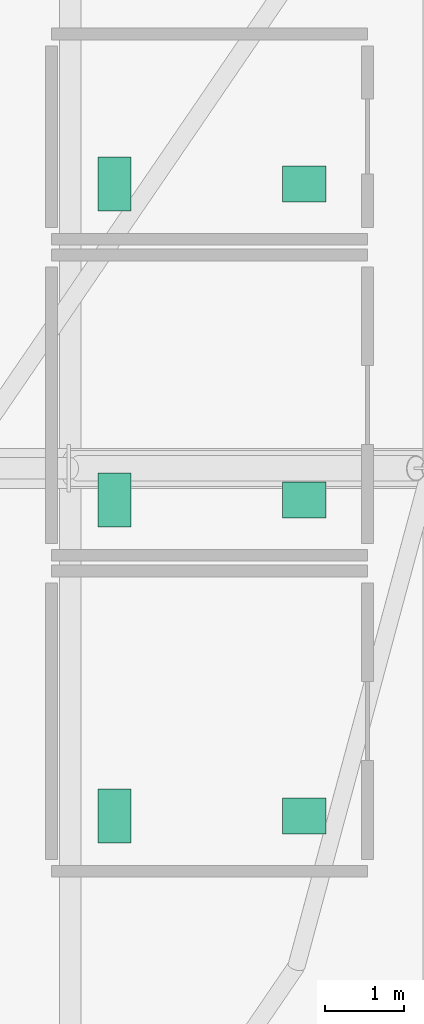
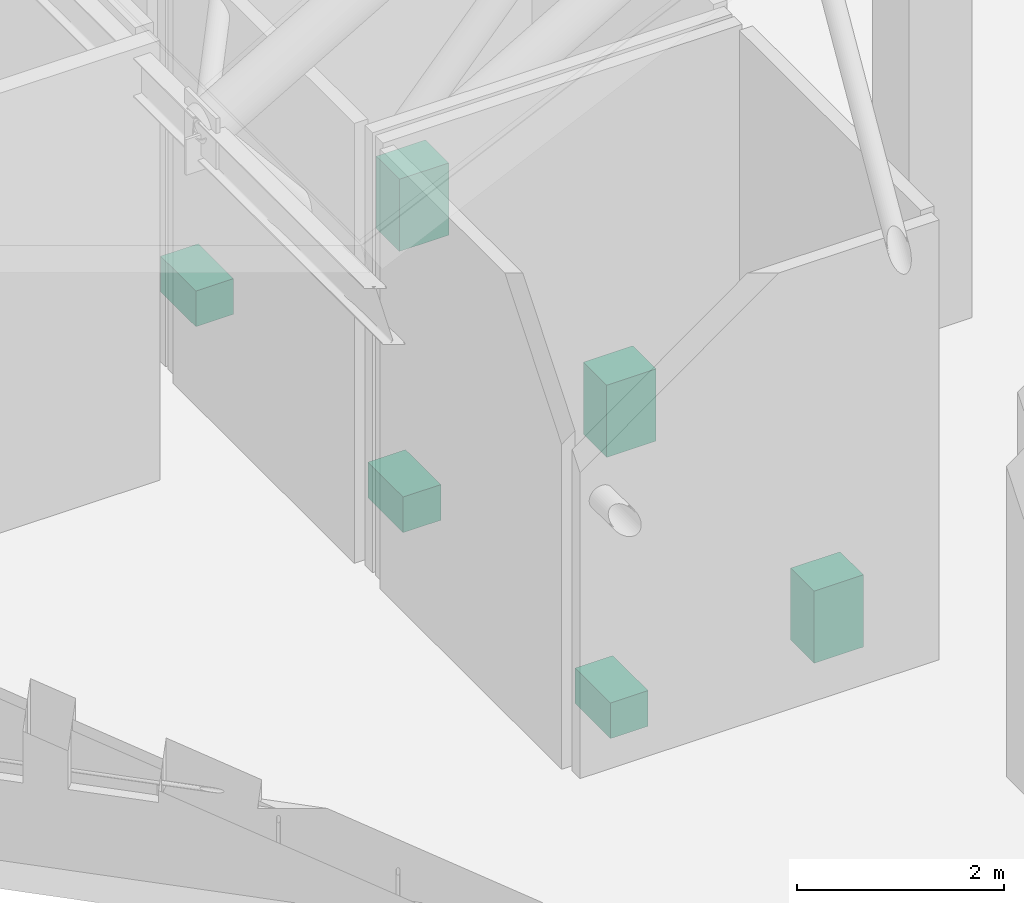
# One storey, part 42 of 42: 6 sanitary terminals.
"""IFC4 building model written with IfcOpenShell, lengths in metres."""

from ifc_helpers import new_model, si_unit, derived_unit, direction, frame, origin, origin_2d, place, context, subcontext, project, spatial, rectangle, extrude, material, type_object, element, save


model = new_model("IFC4")

# Units and contexts
model_context = context("Model", 3, precision=1e-05, world=origin(), true_north=direction((0.0, 1.0)))
body_context = subcontext(model_context, "Body", "Model", "MODEL_VIEW")
ifc_project = project(units=[si_unit("LENGTHUNIT", "METRE"), si_unit("AREAUNIT", "SQUARE_METRE"), si_unit("VOLUMEUNIT", "CUBIC_METRE"), si_unit("PLANEANGLEUNIT", "RADIAN"), si_unit("MASSUNIT", "GRAM", prefix="KILO"), derived_unit("THERMALTRANSMITTANCEUNIT", [(si_unit("MASSUNIT", "GRAM", prefix="KILO"), 1), (si_unit("TIMEUNIT", "SECOND"), -3), (si_unit("THERMODYNAMICTEMPERATUREUNIT", "KELVIN"), -1)])], contexts=[model_context])

# Site, building, storey
site_placement = place(None, origin())
site = spatial("IfcSite", under=ifc_project, at=site_placement, CompositionType="ELEMENT")
building_placement = place(site_placement, origin())
building = spatial("IfcBuilding", under=site, at=building_placement, Name="Valcora Ridge Arena", CompositionType="ELEMENT")
storey_placement = place(building_placement, frame((0.0, 0.0, 26.39990234375)))
storey = spatial("IfcBuildingStorey", under=building, at=storey_placement, Name="L05", CompositionType="ELEMENT", Elevation=26.39990234375)

# Sanitary terminals
ifc_material = material(Name="Vitreous china sanitary ceramic")
sanitary_terminal_type_1 = type_object("IfcSanitaryTerminalType", Name="TY-SANITARYTERMINAL-BASIN-PED-01", PredefinedType="WASHHANDBASIN", material=ifc_material)
for number, where, z_axis, x_axis, name in (
    (1, (28.39990234375, 28.199951171875, 0.0), (0.0, 0.0, 1.0), (1.0, 0.0, 0.0), "BASIN-PED-01 SAN-BS-0031"),
    (2, (28.39990234375, 32.199951171875, 0.0), (0.0, 0.0, 1.0), (1.0, 0.0, 0.0), "BASIN-PED-01 SAN-BS-0032"),
    (3, (28.39990234375, 36.199951171875, 0.0), (0.0, 0.0, 1.0), (1.0, 0.0, 0.0), "BASIN-PED-01 SAN-BS-0033"),
):
    element("IfcSanitaryTerminal", number, at=place(storey_placement, frame(where, z_axis=z_axis, x_axis=x_axis)), inside=storey, type_object=sanitary_terminal_type_1, Name=name, PredefinedType="WASHHANDBASIN", context=body_context, shape_type="SweptSolid", body=[
        extrude(rectangle(XDim=0.550048828125, YDim=0.449951171875, at=origin_2d()), origin(), (0.0, 0.0, 1.0), 0.85009765625),
    ])
sanitary_terminal_type_2 = type_object("IfcSanitaryTerminalType", Name="TY-SANITARYTERMINAL-WC-PAN-01", PredefinedType="TOILETPAN", material=ifc_material)
for number, where, z_axis, x_axis, name in (
    (4, (26.0, 28.199951171875, 0.000244140625), (0.0, 0.0, 1.0), (1.0, 0.0, 0.0), "WC-PAN-01 SAN-WC-0031"),
    (5, (26.0, 32.199951171875, 0.000244140625), (0.0, 0.0, 1.0), (1.0, 0.0, 0.0), "WC-PAN-01 SAN-WC-0032"),
    (6, (26.0, 36.199951171875, 0.000244140625), (0.0, 0.0, 1.0), (1.0, 0.0, 0.0), "WC-PAN-01 SAN-WC-0033"),
):
    element("IfcSanitaryTerminal", number, at=place(storey_placement, frame(where, z_axis=z_axis, x_axis=x_axis)), inside=storey, type_object=sanitary_terminal_type_2, Name=name, PredefinedType="TOILETPAN", context=body_context, shape_type="SweptSolid", body=[
        extrude(rectangle(XDim=0.419921875, YDim=0.679931640625, at=origin_2d()), origin(), (0.0, 0.0, 1.0), 0.419921875),
    ])

save(model, "model.ifc")
